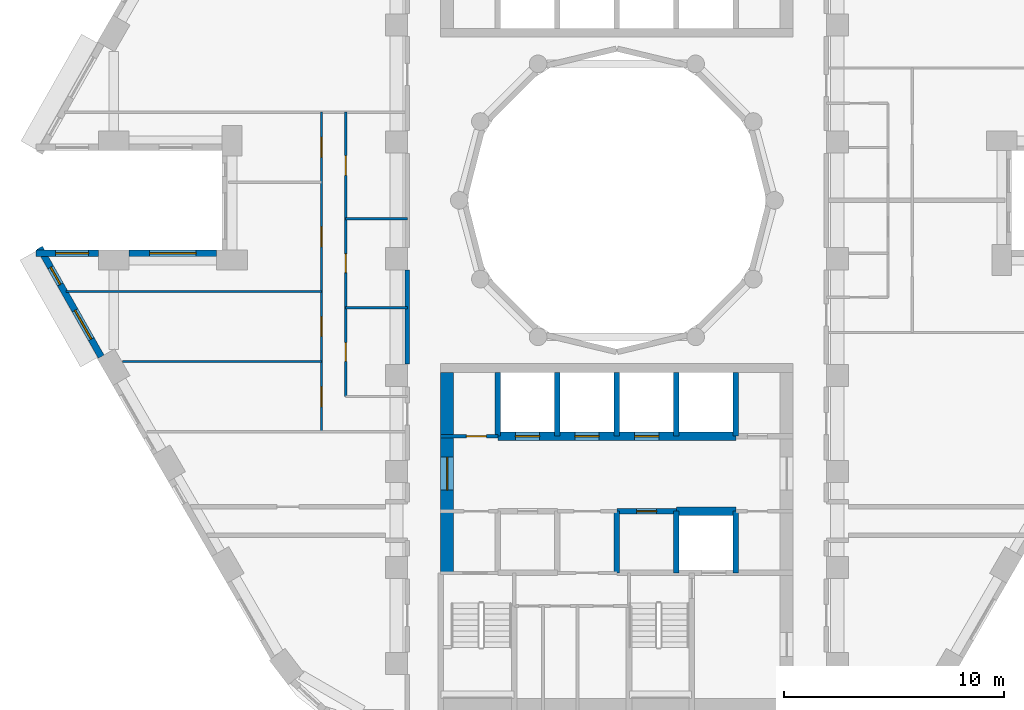
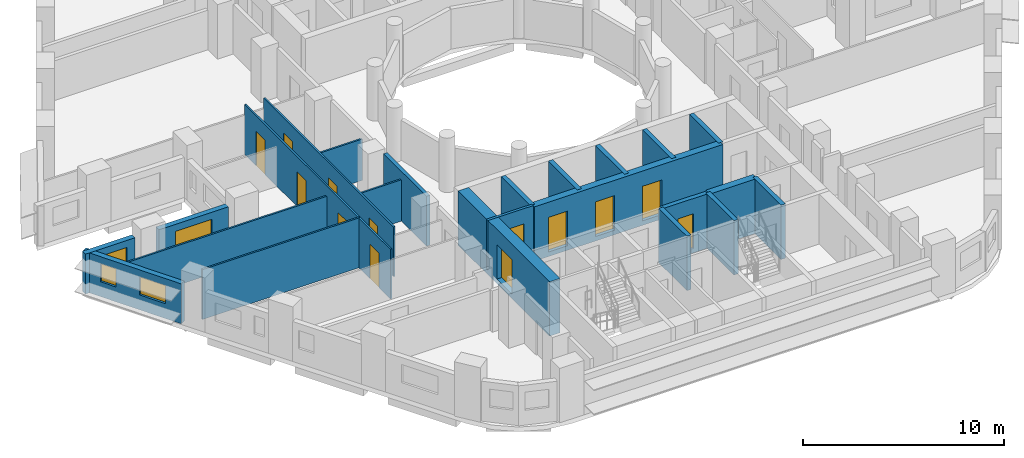
# One storey, part 4 of 12: 23 walls, 13 doors, 4 windows, 17 openings.
"""IFC4 building model written with IfcOpenShell, lengths in metres."""

from ifc_helpers import new_model, si_unit, direction, frame, frame_2d, origin, place, context, subcontext, project, spatial, rectangle, extrude, material, layer, layer_set, type_object, element, fill, save


model = new_model("IFC4")

# Units and contexts
model_context = context("Model", 3, precision=1e-05, world=origin(), true_north=direction((0.0, 1.0)))
body_context = subcontext(model_context, "Body", "Model", "MODEL_VIEW")
ifc_project = project(units=[si_unit("LENGTHUNIT", "METRE"), si_unit("AREAUNIT", "SQUARE_METRE"), si_unit("VOLUMEUNIT", "CUBIC_METRE"), si_unit("PLANEANGLEUNIT", "RADIAN"), si_unit("MASSUNIT", "GRAM", prefix="KILO")], contexts=[model_context])

# Site, building, storey
site_placement = place(None, origin())
site = spatial("IfcSite", under=ifc_project, at=site_placement, CompositionType="ELEMENT")
building_placement = place(site_placement, origin())
building = spatial("IfcBuilding", under=site, at=building_placement, Name="Nakaniwa Court", CompositionType="ELEMENT")
storey_placement = place(building_placement, frame((0.0, 0.0, 87.60009765625)))
storey = spatial("IfcBuildingStorey", under=building, at=storey_placement, Name="L22", CompositionType="ELEMENT", Elevation=87.60009765625)

# Wall
ifc_material_1 = material(Name="Acoustic double stud partition")
ifc_layer_1 = layer(ifc_material_1, 0.199951171875)
ifc_layer_set_1 = layer_set([ifc_layer_1], Name="Acoustic double stud partition")
wall_type_1 = type_object("IfcWallType", Name="Acoustic double stud partition 200", PredefinedType="PARTITIONING", material=ifc_layer_set_1)
wall_1_placement = place(storey_placement, frame((70.5, 72.56689453125, 0.0), z_axis=(0.0, 0.0, 1.0), x_axis=(0.0, 1.0, 0.0)))
element("IfcWall", 1, at=wall_1_placement, inside=storey, type_object=wall_type_1, Name="Partition PW-100", PredefinedType="PARTITIONING", context=body_context, shape_type="SweptSolid", body=[
    extrude(rectangle(XDim=4.26611328125, YDim=0.199951171875, at=frame_2d((2.133056640625, 0.0))), origin(), (0.0, 0.0, 1.0), 3.02490234375),
])

# Wall, opening, window
ifc_material_2 = material(Name="Charcoal ceramic cladding")
ifc_layer_2 = layer(ifc_material_2, 0.02, Name="Ceramic cladding")
ifc_material_3 = material(Name="Ventilated air cavity")
ifc_layer_3 = layer(ifc_material_3, 0.04, ventilated=True, Name="Ventilated cavity")
ifc_material_4 = material(Name="Mineral wool insulation")
ifc_layer_4 = layer(ifc_material_4, 0.1, Name="Insulation")
ifc_material_5 = material(Name="Cement bonded sheathing board")
ifc_layer_5 = layer(ifc_material_5, 0.012, Name="Sheathing")
ifc_material_6 = material(Name="Cold-formed galvanised stud frame with mineral wool infill")
ifc_layer_6 = layer(ifc_material_6, 0.1, Name="Stud frame")
ifc_material_7 = material(Name="Fire-rated gypsum plasterboard lining")
ifc_layer_7 = layer(ifc_material_7, 0.028, Name="Lining")
ifc_layer_set_2 = layer_set([ifc_layer_2, ifc_layer_3, ifc_layer_4, ifc_layer_5, ifc_layer_6, ifc_layer_7], Name="Charcoal ceramic faced external wall system")
wall_type_2 = type_object("IfcWallType", Name="Black ceramic faced external wall 300", PredefinedType="SOLIDWALL", material=ifc_layer_set_2)
wall_2_placement = place(storey_placement, frame((61.845703125, 77.60009765625, 0.0), z_axis=(0.0, 0.0, 1.0), x_axis=(-1.0, 0.0, 0.0)))
wall_2 = element("IfcWall", 2, at=wall_2_placement, inside=storey, type_object=wall_type_2, Name="L22 external wall 18", PredefinedType="SOLIDWALL", context=body_context, shape_type="SweptSolid", body=[
    extrude(rectangle(XDim=3.97265625, YDim=0.300048828125, at=frame_2d((1.986328125, 0.0))), origin(), (0.0, 0.0, 1.0), 2.4248046875),
])
opening_1_placement = place(wall_2_placement, frame((0.936279296875, 0.0, 0.89990234375)))
opening_1 = element("IfcOpeningElement", 3, at=opening_1_placement, cuts=wall_2, Name="Opening W7.21", PredefinedType="OPENING", context=body_context, shape_type="SweptSolid", body=[
    extrude(rectangle(XDim=2.10009765625, YDim=1.10009765625, at=frame_2d((1.050048828125, 0.550048828125))), frame((0.0, 0.159912109375, 0.0), z_axis=(0.0, -1.0, 0.0), x_axis=(1.0, 0.0, 0.0)), (0.0, 0.0, 1.0), 0.320068359375),
])
ifc_material_8 = material(Name="Black anodised aluminium frame with dark low-E laminated double glazing", Category="aluminium")
window_type_1 = type_object("IfcWindowType", Name="Dark glass window 2100x1100 sill 900", PartitioningType="SINGLE_PANEL", PredefinedType="WINDOW", material=ifc_material_8)
window_1_placement = place(opening_1_placement, origin())
window_1 = element("IfcWindow", 4, at=window_1_placement, inside=storey, type_object=window_type_1, Name="L22 living window 18-0", OverallHeight=1.10009765625, OverallWidth=2.10009765625, PartitioningType="SINGLE_PANEL", PredefinedType="WINDOW", context=body_context, shape_type="SweptSolid", body=[
    extrude(rectangle(XDim=2.10009765625, YDim=1.10009765625, at=frame_2d((1.050048828125, 0.550048828125))), frame((0.0, 0.030029296875, 0.0), z_axis=(0.0, -1.0, 0.0), x_axis=(1.0, 0.0, 0.0)), (0.0, 0.0, 1.0), 0.06005859375),
])
fill(opening_1, window_1)

wall_3_placement = place(storey_placement, frame((56.481201171875, 77.60009765625, 0.0), z_axis=(0.0, 0.0, 1.0), x_axis=(-1.0, 0.0, 0.0)))
wall_3 = element("IfcWall", 5, at=wall_3_placement, inside=storey, type_object=wall_type_2, Name="L22 external wall 19", PredefinedType="SOLIDWALL", context=body_context, shape_type="SweptSolid", body=[
    extrude(rectangle(XDim=2.837890625, YDim=0.300048828125, at=frame_2d((1.4189453125, 0.0))), origin(), (0.0, 0.0, 1.0), 2.4248046875),
])
opening_2_placement = place(wall_3_placement, frame((0.44384765625, 0.0, 0.89990234375)))
opening_2 = element("IfcOpeningElement", 6, at=opening_2_placement, cuts=wall_3, Name="Opening W5.22", PredefinedType="OPENING", context=body_context, shape_type="SweptSolid", body=[
    extrude(rectangle(XDim=1.5, YDim=1.10009765625, at=frame_2d((0.75, 0.550048828125))), frame((0.0, 0.159912109375, 0.0), z_axis=(0.0, -1.0, 0.0), x_axis=(1.0, 0.0, 0.0)), (0.0, 0.0, 1.0), 0.320068359375),
])
window_type_2 = type_object("IfcWindowType", Name="Dark glass window 1500x1100 sill 900", PartitioningType="SINGLE_PANEL", PredefinedType="WINDOW", material=ifc_material_8)
window_2_placement = place(opening_2_placement, origin())
window_2 = element("IfcWindow", 7, at=window_2_placement, inside=storey, type_object=window_type_2, Name="L22 living window 19-0", OverallHeight=1.10009765625, OverallWidth=1.5, PartitioningType="SINGLE_PANEL", PredefinedType="WINDOW", context=body_context, shape_type="SweptSolid", body=[
    extrude(rectangle(XDim=1.5, YDim=1.10009765625, at=frame_2d((0.75, 0.550048828125))), frame((0.0, 0.030029296875, 0.0), z_axis=(0.0, -1.0, 0.0), x_axis=(1.0, 0.0, 0.0)), (0.0, 0.0, 1.0), 0.06005859375),
])
fill(opening_2, window_2)

# Wall, openings, windows
wall_4_placement = place(storey_placement, frame((53.81396484375, 77.8466796875, 0.0), z_axis=(0.0, 0.0, 1.0), x_axis=(0.492456858874, -0.870336855561, 0.0)))
wall_4 = element("IfcWall", 8, at=wall_4_placement, inside=storey, type_object=wall_type_2, Name="L22 external wall 20", PredefinedType="SOLIDWALL", context=body_context, shape_type="SweptSolid", body=[
    extrude(rectangle(XDim=5.676513671875, YDim=0.300048828125, at=frame_2d((2.83837890625, 0.0))), origin(), (0.0, 0.0, 1.0), 2.4248046875),
])
opening_3_placement = place(wall_4_placement, frame((1.011962890625, 0.0, 0.89990234375)))
opening_3 = element("IfcOpeningElement", 9, at=opening_3_placement, cuts=wall_4, Name="Opening W9.23", PredefinedType="OPENING", context=body_context, shape_type="SweptSolid", body=[
    extrude(rectangle(XDim=0.89990234375, YDim=1.10009765625, at=frame_2d((0.449951171875, 0.550048828125))), frame((0.0, 0.159912109375, 0.0), z_axis=(0.0, -1.0, 0.0), x_axis=(1.0, 0.0, 0.0)), (0.0, 0.0, 1.0), 0.320068359375),
])
opening_4_placement = place(wall_4_placement, frame((3.261474609375, 0.0, 0.89990234375)))
opening_4 = element("IfcOpeningElement", 10, at=opening_4_placement, cuts=wall_4, Name="Opening W5.24", PredefinedType="OPENING", context=body_context, shape_type="SweptSolid", body=[
    extrude(rectangle(XDim=1.5, YDim=1.10009765625, at=frame_2d((0.75, 0.550048828125))), frame((0.0, 0.159912109375, 0.0), z_axis=(0.0, -1.0, 0.0), x_axis=(1.0, 0.0, 0.0)), (0.0, 0.0, 1.0), 0.320068359375),
])
window_3_placement = place(opening_4_placement, origin())
window_3 = element("IfcWindow", 11, at=window_3_placement, inside=storey, type_object=window_type_2, Name="L22 bedroom window 20-1", OverallHeight=1.10009765625, OverallWidth=1.5, PartitioningType="SINGLE_PANEL", PredefinedType="WINDOW", context=body_context, shape_type="SweptSolid", body=[
    extrude(rectangle(XDim=1.5, YDim=1.10009765625, at=frame_2d((0.75, 0.550048828125))), frame((0.0, 0.030029296875, 0.0), z_axis=(0.0, -1.0, 0.0), x_axis=(1.0, 0.0, 0.0)), (0.0, 0.0, 1.0), 0.06005859375),
])
fill(opening_4, window_3)
window_type_3 = type_object("IfcWindowType", Name="Dark glass window 900x1100 sill 900", PartitioningType="SINGLE_PANEL", PredefinedType="WINDOW", material=ifc_material_8)
window_4_placement = place(opening_3_placement, origin())
window_4 = element("IfcWindow", 12, at=window_4_placement, inside=storey, type_object=window_type_3, Name="L22 living window 20-0", OverallHeight=1.10009765625, OverallWidth=0.89990234375, PartitioningType="SINGLE_PANEL", PredefinedType="WINDOW", context=body_context, shape_type="SweptSolid", body=[
    extrude(rectangle(XDim=0.89990234375, YDim=1.10009765625, at=frame_2d((0.449951171875, 0.550048828125))), frame((0.0, 0.030029296875, 0.0), z_axis=(0.0, -1.0, 0.0), x_axis=(1.0, 0.0, 0.0)), (0.0, 0.0, 1.0), 0.06005859375),
])
fill(opening_3, window_4)

# Wall, opening, door
ifc_material_9 = material(Name="Blockwork partition", Category="masonry")
ifc_layer_8 = layer(ifc_material_9, 0.14990234375)
ifc_layer_set_3 = layer_set([ifc_layer_8], Name="Blockwork partition")
wall_type_3 = type_object("IfcWallType", Name="Blockwork partition 150", PredefinedType="PARTITIONING", material=ifc_layer_set_3)
wall_5_placement = place(storey_placement, frame((72.0, 69.300048828125, 0.0), z_axis=(0.0, 0.0, 1.0), x_axis=(1.0, 0.0, 0.0)))
wall_5 = element("IfcWall", 13, at=wall_5_placement, inside=storey, type_object=wall_type_3, Name="Partition PW-037", PredefinedType="PARTITIONING", context=body_context, shape_type="SweptSolid", body=[
    extrude(rectangle(XDim=2.60009765625, YDim=0.14990234375, at=frame_2d((1.300048828125, 0.0))), origin(), (0.0, 0.0, 1.0), 3.02490234375),
])
opening_5_placement = place(wall_5_placement, frame((1.175048828125, 0.0, 0.0)))
opening_5 = element("IfcOpeningElement", 14, at=opening_5_placement, cuts=wall_5, Name="Opening D-05-09", PredefinedType="OPENING", context=body_context, shape_type="SweptSolid", body=[
    extrude(rectangle(XDim=0.89990234375, YDim=2.10009765625, at=frame_2d((0.449951171875, 1.050048828125))), frame((0.0, 0.0849609375, 0.0), z_axis=(0.0, -1.0, 0.0), x_axis=(1.0, 0.0, 0.0)), (0.0, 0.0, 1.0), 0.169921875),
])
ifc_material_10 = material(Name="Fire rated steel door set", Category="steel")
door_type_1 = type_object("IfcDoorType", Name="Service room door 900", OperationType="NOTDEFINED", PredefinedType="DOOR", material=ifc_material_10)
door_1_placement = place(opening_5_placement, origin())
door_1 = element("IfcDoor", 15, at=door_1_placement, inside=storey, type_object=door_type_1, Name="Door D-05-09 L22-014", OperationType="SINGLE_SWING_LEFT", OverallHeight=2.10009765625, OverallWidth=0.89990234375, PredefinedType="DOOR", context=body_context, shape_type="SweptSolid", body=[
    extrude(rectangle(XDim=0.89990234375, YDim=2.10009765625, at=frame_2d((0.449951171875, 1.050048828125))), frame((0.0, 0.02490234375, 0.0), z_axis=(0.0, -1.0, 0.0), x_axis=(1.0, 0.0, 0.0)), (0.0, 0.0, 1.0), 0.050048828125),
])
fill(opening_5, door_1)

ifc_material_11 = material(Name="Concrete C80/100", Category="concrete")
ifc_layer_9 = layer(ifc_material_11, 0.60009765625)
ifc_layer_set_4 = layer_set([ifc_layer_9], Name="Concrete C80/100")
wall_type_4 = type_object("IfcWallType", Name="Concrete core side wall 600 C80", PredefinedType="SHEAR", material=ifc_layer_set_4)
wall_6_placement = place(storey_placement, frame((72.300048828125, 63.10009765625, -0.275146484375), z_axis=(0.0, 0.0, 1.0), x_axis=(0.0, 1.0, 0.0)))
wall_6 = element("IfcWall", 16, at=wall_6_placement, inside=storey, type_object=wall_type_4, Name="Core wall SW-38", PredefinedType="SHEAR", context=body_context, shape_type="SweptSolid", body=[
    extrude(rectangle(XDim=9.099853515625, YDim=0.60009765625, at=frame_2d((4.5498046875, 0.0))), origin(), (0.0, 0.0, 1.0), 3.300048828125),
])
opening_6_placement = place(wall_6_placement, frame((3.75, 0.0, 0.27490234375)))
opening_6 = element("IfcOpeningElement", 17, at=opening_6_placement, cuts=wall_6, Name="Opening D-07-04", PredefinedType="OPENING", context=body_context, shape_type="SweptSolid", body=[
    extrude(rectangle(XDim=1.5, YDim=2.10009765625, at=frame_2d((0.75, 1.050048828125))), frame((0.0, 0.31005859375, 0.0), z_axis=(0.0, -1.0, 0.0), x_axis=(1.0, 0.0, 0.0)), (0.0, 0.0, 1.0), 0.6201171875),
])
ifc_material_12 = material(Name="Glazed fire rated steel double door set", Category="steel")
door_type_2 = type_object("IfcDoorType", Name="Lobby double door 1500", OperationType="NOTDEFINED", PredefinedType="DOOR", material=ifc_material_12)
door_2_placement = place(opening_6_placement, origin())
door_2 = element("IfcDoor", 18, at=door_2_placement, inside=storey, type_object=door_type_2, Name="Door D-07-04 L22-055", OperationType="DOUBLE_DOOR_SINGLE_SWING", OverallHeight=2.10009765625, OverallWidth=1.5, PredefinedType="DOOR", context=body_context, shape_type="SweptSolid", body=[
    extrude(rectangle(XDim=1.5, YDim=2.10009765625, at=frame_2d((0.75, 1.050048828125))), frame((0.0, 0.02490234375, 0.0), z_axis=(0.0, -1.0, 0.0), x_axis=(1.0, 0.0, 0.0)), (0.0, 0.0, 1.0), 0.050048828125),
])
fill(opening_6, door_2)

# Wall, openings, doors
ifc_layer_10 = layer(ifc_material_11, 0.39990234375)
ifc_layer_set_5 = layer_set([ifc_layer_10], Name="Concrete C80/100")
wall_type_5 = type_object("IfcWallType", Name="Concrete core spine wall 400 C80", PredefinedType="SHEAR", material=ifc_layer_set_5)
wall_7_placement = place(storey_placement, frame((74.60009765625, 69.300048828125, -0.275146484375), z_axis=(0.0, 0.0, 1.0), x_axis=(1.0, 0.0, 0.0)))
wall_7 = element("IfcWall", 19, at=wall_7_placement, inside=storey, type_object=wall_type_5, Name="Core wall SW-41", PredefinedType="SHEAR", context=body_context, shape_type="SweptSolid", body=[
    extrude(rectangle(XDim=10.7998046875, YDim=0.39990234375, at=frame_2d((5.39990234375, 0.0))), origin(), (0.0, 0.0, 1.0), 3.300048828125),
])
opening_7_placement = place(wall_7_placement, frame((0.800048828125, 0.0, 0.27490234375)))
opening_7 = element("IfcOpeningElement", 20, at=opening_7_placement, cuts=wall_7, Name="Opening LD05", PredefinedType="OPENING", context=body_context, shape_type="SweptSolid", body=[
    extrude(rectangle(XDim=1.10009765625, YDim=2.10009765625, at=frame_2d((0.550048828125, 1.050048828125))), frame((0.0, 0.2099609375, 0.0), z_axis=(0.0, -1.0, 0.0), x_axis=(1.0, 0.0, 0.0)), (0.0, 0.0, 1.0), 0.419921875),
])
opening_8_placement = place(wall_7_placement, frame((3.5, 0.0, 0.27490234375)))
opening_8 = element("IfcOpeningElement", 21, at=opening_8_placement, cuts=wall_7, Name="Opening LD06", PredefinedType="OPENING", context=body_context, shape_type="SweptSolid", body=[
    extrude(rectangle(XDim=1.10009765625, YDim=2.10009765625, at=frame_2d((0.550048828125, 1.050048828125))), frame((0.0, 0.2099609375, 0.0), z_axis=(0.0, -1.0, 0.0), x_axis=(1.0, 0.0, 0.0)), (0.0, 0.0, 1.0), 0.419921875),
])
opening_9_placement = place(wall_7_placement, frame((6.199951171875, 0.0, 0.27490234375)))
opening_9 = element("IfcOpeningElement", 22, at=opening_9_placement, cuts=wall_7, Name="Opening LD07", PredefinedType="OPENING", context=body_context, shape_type="SweptSolid", body=[
    extrude(rectangle(XDim=1.10009765625, YDim=2.10009765625, at=frame_2d((0.550048828125, 1.050048828125))), frame((0.0, 0.2099609375, 0.0), z_axis=(0.0, -1.0, 0.0), x_axis=(1.0, 0.0, 0.0)), (0.0, 0.0, 1.0), 0.419921875),
])
ifc_material_13 = material(Name="Stainless steel sliding lift landing door", Category="steel")
door_type_3 = type_object("IfcDoorType", Name="Lift landing door 1100", OperationType="NOTDEFINED", PredefinedType="DOOR", material=ifc_material_13)
door_3_placement = place(opening_7_placement, origin())
door_3 = element("IfcDoor", 23, at=door_3_placement, inside=storey, type_object=door_type_3, Name="Lift landing door LD05 L22-005", OperationType="SLIDING_TO_LEFT", OverallHeight=2.10009765625, OverallWidth=1.10009765625, PredefinedType="DOOR", context=body_context, shape_type="SweptSolid", body=[
    extrude(rectangle(XDim=1.10009765625, YDim=2.10009765625, at=frame_2d((0.550048828125, 1.050048828125))), frame((0.0, 0.02490234375, 0.0), z_axis=(0.0, -1.0, 0.0), x_axis=(1.0, 0.0, 0.0)), (0.0, 0.0, 1.0), 0.050048828125),
])
fill(opening_7, door_3)
door_4_placement = place(opening_8_placement, origin())
door_4 = element("IfcDoor", 24, at=door_4_placement, inside=storey, type_object=door_type_3, Name="Lift landing door LD06 L22-006", OperationType="SLIDING_TO_LEFT", OverallHeight=2.10009765625, OverallWidth=1.10009765625, PredefinedType="DOOR", context=body_context, shape_type="SweptSolid", body=[
    extrude(rectangle(XDim=1.10009765625, YDim=2.10009765625, at=frame_2d((0.550048828125, 1.050048828125))), frame((0.0, 0.02490234375, 0.0), z_axis=(0.0, -1.0, 0.0), x_axis=(1.0, 0.0, 0.0)), (0.0, 0.0, 1.0), 0.050048828125),
])
fill(opening_8, door_4)
door_5_placement = place(opening_9_placement, origin())
door_5 = element("IfcDoor", 25, at=door_5_placement, inside=storey, type_object=door_type_3, Name="Lift landing door LD07 L22-007", OperationType="SLIDING_TO_LEFT", OverallHeight=2.10009765625, OverallWidth=1.10009765625, PredefinedType="DOOR", context=body_context, shape_type="SweptSolid", body=[
    extrude(rectangle(XDim=1.10009765625, YDim=2.10009765625, at=frame_2d((0.550048828125, 1.050048828125))), frame((0.0, 0.02490234375, 0.0), z_axis=(0.0, -1.0, 0.0), x_axis=(1.0, 0.0, 0.0)), (0.0, 0.0, 1.0), 0.050048828125),
])
fill(opening_9, door_5)

# Walls
wall_8_placement = place(storey_placement, frame((82.697021484375, 65.89990234375, -0.275146484375), z_axis=(0.0, 0.0, 1.0), x_axis=(1.0, 0.0, 0.0)))
element("IfcWall", 26, at=wall_8_placement, inside=storey, type_object=wall_type_5, Name="Core wall SW-55", PredefinedType="SHEAR", context=body_context, shape_type="SweptSolid", body=[
    extrude(rectangle(XDim=2.7060546875, YDim=0.39990234375, at=frame_2d((1.35302734375, 0.0))), origin(), (0.0, 0.0, 1.0), 3.300048828125),
])
ifc_layer_11 = layer(ifc_material_11, 0.25)
ifc_layer_set_6 = layer_set([ifc_layer_11], Name="Concrete C80/100")
wall_type_6 = type_object("IfcWallType", Name="Concrete shaft wall 250 C80", PredefinedType="SHEAR", material=ifc_layer_set_6)
for number, where, z_axis, x_axis, name in (
    (27, (74.60009765625, 69.300048828125, -0.275146484375), (0.0, 0.0, 1.0), (0.0, 1.0, 0.0), "Core wall SW-36"),
    (28, (77.300048828125, 69.300048828125, -0.275146484375), (0.0, 0.0, 1.0), (0.0, 1.0, 0.0), "Core wall SW-40"),
):
    element("IfcWall", number, at=place(storey_placement, frame(where, z_axis=z_axis, x_axis=x_axis)), inside=storey, type_object=wall_type_6, Name=name, PredefinedType="SHEAR", context=body_context, shape_type="SweptSolid", body=[
        extrude(rectangle(XDim=2.89990234375, YDim=0.25, at=frame_2d((1.449951171875, 0.0))), origin(), (0.0, 0.0, 1.0), 3.300048828125),
    ])
wall_9_placement = place(storey_placement, frame((80.0, 63.10009765625, -0.275146484375), z_axis=(0.0, 0.0, 1.0), x_axis=(0.0, 1.0, 0.0)))
element("IfcWall", 29, at=wall_9_placement, inside=storey, type_object=wall_type_6, Name="Core wall SW-42", PredefinedType="SHEAR", context=body_context, shape_type="SweptSolid", body=[
    extrude(rectangle(XDim=2.7998046875, YDim=0.25, at=frame_2d((1.39990234375, 0.0))), origin(), (0.0, 0.0, 1.0), 3.300048828125),
])
wall_10_placement = place(storey_placement, frame((80.0, 69.300048828125, -0.275146484375), z_axis=(0.0, 0.0, 1.0), x_axis=(0.0, 1.0, 0.0)))
element("IfcWall", 30, at=wall_10_placement, inside=storey, type_object=wall_type_6, Name="Core wall SW-43", PredefinedType="SHEAR", context=body_context, shape_type="SweptSolid", body=[
    extrude(rectangle(XDim=2.89990234375, YDim=0.25, at=frame_2d((1.449951171875, 0.0))), origin(), (0.0, 0.0, 1.0), 3.300048828125),
])
wall_11_placement = place(storey_placement, frame((82.699951171875, 63.10009765625, -0.275146484375), z_axis=(0.0, 0.0, 1.0), x_axis=(0.0, 1.0, 0.0)))
element("IfcWall", 31, at=wall_11_placement, inside=storey, type_object=wall_type_6, Name="Core wall SW-44", PredefinedType="SHEAR", context=body_context, shape_type="SweptSolid", body=[
    extrude(rectangle(XDim=2.7998046875, YDim=0.25, at=frame_2d((1.39990234375, 0.0))), origin(), (0.0, 0.0, 1.0), 3.300048828125),
])
wall_12_placement = place(storey_placement, frame((82.699951171875, 69.300048828125, -0.275146484375), z_axis=(0.0, 0.0, 1.0), x_axis=(0.0, 1.0, 0.0)))
element("IfcWall", 32, at=wall_12_placement, inside=storey, type_object=wall_type_6, Name="Core wall SW-45", PredefinedType="SHEAR", context=body_context, shape_type="SweptSolid", body=[
    extrude(rectangle(XDim=2.89990234375, YDim=0.25, at=frame_2d((1.449951171875, 0.0))), origin(), (0.0, 0.0, 1.0), 3.300048828125),
])
wall_13_placement = place(storey_placement, frame((85.39990234375, 63.10009765625, -0.275146484375), z_axis=(0.0, 0.0, 1.0), x_axis=(0.0, 1.0, 0.0)))
element("IfcWall", 33, at=wall_13_placement, inside=storey, type_object=wall_type_6, Name="Core wall SW-46", PredefinedType="SHEAR", context=body_context, shape_type="SweptSolid", body=[
    extrude(rectangle(XDim=2.7998046875, YDim=0.25, at=frame_2d((1.39990234375, 0.0))), origin(), (0.0, 0.0, 1.0), 3.300048828125),
])
wall_14_placement = place(storey_placement, frame((85.39990234375, 69.300048828125, -0.275146484375), z_axis=(0.0, 0.0, 1.0), x_axis=(0.0, 1.0, 0.0)))
element("IfcWall", 34, at=wall_14_placement, inside=storey, type_object=wall_type_6, Name="Core wall SW-47", PredefinedType="SHEAR", context=body_context, shape_type="SweptSolid", body=[
    extrude(rectangle(XDim=2.89990234375, YDim=0.25, at=frame_2d((1.449951171875, 0.0))), origin(), (0.0, 0.0, 1.0), 3.300048828125),
])

# Wall, opening, door
wall_15_placement = place(storey_placement, frame((82.702880859375, 65.89990234375, -0.275146484375), z_axis=(0.0, 0.0, 1.0), x_axis=(-1.0, 0.0, 0.0)))
wall_15 = element("IfcWall", 35, at=wall_15_placement, inside=storey, type_object=wall_type_6, Name="Core wall SW-54", PredefinedType="SHEAR", context=body_context, shape_type="SweptSolid", body=[
    extrude(rectangle(XDim=2.705810546875, YDim=0.25, at=frame_2d((1.35302734375, 0.0))), origin(), (0.0, 0.0, 1.0), 3.300048828125),
])
opening_10_placement = place(wall_15_placement, frame((0.903076171875, 0.0, 0.27490234375)))
opening_10 = element("IfcOpeningElement", 36, at=opening_10_placement, cuts=wall_15, Name="Opening D-05-12", PredefinedType="OPENING", context=body_context, shape_type="SweptSolid", body=[
    extrude(rectangle(XDim=0.89990234375, YDim=2.10009765625, at=frame_2d((0.449951171875, 1.050048828125))), frame((0.0, 0.135009765625, 0.0), z_axis=(0.0, -1.0, 0.0), x_axis=(1.0, 0.0, 0.0)), (0.0, 0.0, 1.0), 0.27001953125),
])
door_6_placement = place(opening_10_placement, origin())
door_6 = element("IfcDoor", 37, at=door_6_placement, inside=storey, type_object=door_type_1, Name="Door D-05-12 L22-019", OperationType="SINGLE_SWING_RIGHT", OverallHeight=2.10009765625, OverallWidth=0.89990234375, PredefinedType="DOOR", context=body_context, shape_type="SweptSolid", body=[
    extrude(rectangle(XDim=0.89990234375, YDim=2.10009765625, at=frame_2d((0.449951171875, 1.050048828125))), frame((0.0, 0.02490234375, 0.0), z_axis=(0.0, -1.0, 0.0), x_axis=(1.0, 0.0, 0.0)), (0.0, 0.0, 1.0), 0.050048828125),
])
fill(opening_10, door_6)

# Wall
ifc_material_14 = material(Name="Single stud plasterboard partition")
ifc_layer_12 = layer(ifc_material_14, 0.10009765625)
ifc_layer_set_7 = layer_set([ifc_layer_12], Name="Single stud plasterboard partition")
wall_type_7 = type_object("IfcWallType", Name="Single stud plasterboard partition 100", PredefinedType="PARTITIONING", material=ifc_layer_set_7)
wall_16_placement = place(storey_placement, frame((67.699951171875, 75.131103515625, 0.0), z_axis=(0.0, 0.0, 1.0), x_axis=(1.0, 0.0, 0.0)))
element("IfcWall", 38, at=wall_16_placement, inside=storey, type_object=wall_type_7, Name="Partition PW-116", PredefinedType="PARTITIONING", context=body_context, shape_type="SweptSolid", body=[
    extrude(rectangle(XDim=2.800048828125, YDim=0.10009765625, at=frame_2d((1.39990234375, 0.0))), origin(), (0.0, 0.0, 1.0), 2.5048828125),
])

# Wall, openings, doors
wall_17_placement = place(storey_placement, frame((67.699951171875, 84.0, 0.0), z_axis=(0.0, 0.0, 1.0), x_axis=(0.0, -1.0, 0.0)))
wall_17 = element("IfcWall", 39, at=wall_17_placement, inside=storey, type_object=wall_type_7, Name="Partition PW-118", PredefinedType="PARTITIONING", context=body_context, shape_type="SweptSolid", body=[
    extrude(rectangle(XDim=12.89990234375, YDim=0.10009765625, at=frame_2d((6.449951171875, 0.0))), origin(), (0.0, 0.0, 1.0), 3.02490234375),
])
opening_11_placement = place(wall_17_placement, frame((10.458984375, 0.0, 0.0)))
opening_11 = element("IfcOpeningElement", 40, at=opening_11_placement, cuts=wall_17, Name="Opening D-03-03", PredefinedType="OPENING", context=body_context, shape_type="SweptSolid", body=[
    extrude(rectangle(XDim=0.85009765625, YDim=2.10009765625, at=frame_2d((0.425048828125, 1.050048828125))), frame((0.0, 0.06005859375, 0.0), z_axis=(0.0, -1.0, 0.0), x_axis=(1.0, 0.0, 0.0)), (0.0, 0.0, 1.0), 0.1201171875),
])
opening_12_placement = place(wall_17_placement, frame((6.427978515625, 0.0, 0.0)))
opening_12 = element("IfcOpeningElement", 41, at=opening_12_placement, cuts=wall_17, Name="Opening D-03-04", PredefinedType="OPENING", context=body_context, shape_type="SweptSolid", body=[
    extrude(rectangle(XDim=0.85009765625, YDim=2.10009765625, at=frame_2d((0.425048828125, 1.050048828125))), frame((0.0, 0.06005859375, 0.0), z_axis=(0.0, -1.0, 0.0), x_axis=(1.0, 0.0, 0.0)), (0.0, 0.0, 1.0), 0.1201171875),
])
opening_13_placement = place(wall_17_placement, frame((1.968994140625, 0.0, 0.0)))
opening_13 = element("IfcOpeningElement", 42, at=opening_13_placement, cuts=wall_17, Name="Opening D-33-05", PredefinedType="OPENING", context=body_context, shape_type="SweptSolid", body=[
    extrude(rectangle(XDim=0.89990234375, YDim=2.10009765625, at=frame_2d((0.449951171875, 1.050048828125))), frame((0.0, 0.06005859375, 0.0), z_axis=(0.0, -1.0, 0.0), x_axis=(1.0, 0.0, 0.0)), (0.0, 0.0, 1.0), 0.1201171875),
])
ifc_material_15 = material(Name="Moisture sealed timber door set", Category="wood")
door_type_4 = type_object("IfcDoorType", Name="Bathroom door 850", OperationType="NOTDEFINED", PredefinedType="DOOR", material=ifc_material_15)
door_7_placement = place(opening_11_placement, origin())
door_7 = element("IfcDoor", 43, at=door_7_placement, inside=storey, type_object=door_type_4, Name="Door D-03-03 L22-040", OperationType="SINGLE_SWING_LEFT", OverallHeight=2.10009765625, OverallWidth=0.85009765625, PredefinedType="DOOR", context=body_context, shape_type="SweptSolid", body=[
    extrude(rectangle(XDim=0.85009765625, YDim=2.10009765625, at=frame_2d((0.425048828125, 1.050048828125))), frame((0.0, 0.02490234375, 0.0), z_axis=(0.0, -1.0, 0.0), x_axis=(1.0, 0.0, 0.0)), (0.0, 0.0, 1.0), 0.050048828125),
])
fill(opening_11, door_7)
door_8_placement = place(opening_12_placement, origin())
door_8 = element("IfcDoor", 44, at=door_8_placement, inside=storey, type_object=door_type_4, Name="Door D-03-04 L22-041", OperationType="SINGLE_SWING_RIGHT", OverallHeight=2.10009765625, OverallWidth=0.85009765625, PredefinedType="DOOR", context=body_context, shape_type="SweptSolid", body=[
    extrude(rectangle(XDim=0.85009765625, YDim=2.10009765625, at=frame_2d((0.425048828125, 1.050048828125))), frame((0.0, 0.02490234375, 0.0), z_axis=(0.0, -1.0, 0.0), x_axis=(1.0, 0.0, 0.0)), (0.0, 0.0, 1.0), 0.050048828125),
])
fill(opening_12, door_8)
ifc_material_16 = material(Name="Solid core timber door set, black veneer", Category="wood")
door_type_5 = type_object("IfcDoorType", Name="Internal door 900", OperationType="NOTDEFINED", PredefinedType="DOOR", material=ifc_material_16)
door_9_placement = place(opening_13_placement, origin())
door_9 = element("IfcDoor", 45, at=door_9_placement, inside=storey, type_object=door_type_5, Name="Door D-33-05 L22-042", OperationType="SINGLE_SWING_LEFT", OverallHeight=2.10009765625, OverallWidth=0.89990234375, PredefinedType="DOOR", context=body_context, shape_type="SweptSolid", body=[
    extrude(rectangle(XDim=0.89990234375, YDim=2.10009765625, at=frame_2d((0.449951171875, 1.050048828125))), frame((0.0, 0.02490234375, 0.0), z_axis=(0.0, -1.0, 0.0), x_axis=(1.0, 0.0, 0.0)), (0.0, 0.0, 1.0), 0.050048828125),
])
fill(opening_13, door_9)

# Wall
wall_18_placement = place(storey_placement, frame((67.699951171875, 79.162109375, 0.0), z_axis=(0.0, 0.0, 1.0), x_axis=(1.0, 0.0, 0.0)))
element("IfcWall", 46, at=wall_18_placement, inside=storey, type_object=wall_type_7, Name="Partition PW-119", PredefinedType="PARTITIONING", context=body_context, shape_type="SweptSolid", body=[
    extrude(rectangle(XDim=2.800048828125, YDim=0.10009765625, at=frame_2d((1.39990234375, 0.0))), origin(), (0.0, 0.0, 1.0), 2.5048828125),
])

# Wall, openings, doors
wall_19_placement = place(storey_placement, frame((66.60009765625, 69.5, 0.0), z_axis=(0.0, 0.0, 1.0), x_axis=(0.0, 1.0, 0.0)))
wall_19 = element("IfcWall", 47, at=wall_19_placement, inside=storey, type_object=wall_type_7, Name="Partition PW-121", PredefinedType="PARTITIONING", context=body_context, shape_type="SweptSolid", body=[
    extrude(rectangle(XDim=14.5, YDim=0.10009765625, at=frame_2d((7.25, 0.0))), origin(), (0.0, 0.0, 1.0), 3.02490234375),
])
opening_14_placement = place(wall_19_placement, frame((1.14111328125, 0.0, 0.0)))
opening_14 = element("IfcOpeningElement", 48, at=opening_14_placement, cuts=wall_19, Name="Opening D-33-06", PredefinedType="OPENING", context=body_context, shape_type="SweptSolid", body=[
    extrude(rectangle(XDim=0.89990234375, YDim=2.10009765625, at=frame_2d((0.449951171875, 1.050048828125))), frame((0.0, 0.06005859375, 0.0), z_axis=(0.0, -1.0, 0.0), x_axis=(1.0, 0.0, 0.0)), (0.0, 0.0, 1.0), 0.1201171875),
])
opening_15_placement = place(wall_19_placement, frame((4.323974609375, 0.0, 0.0)))
opening_15 = element("IfcOpeningElement", 49, at=opening_15_placement, cuts=wall_19, Name="Opening D-33-07", PredefinedType="OPENING", context=body_context, shape_type="SweptSolid", body=[
    extrude(rectangle(XDim=0.89990234375, YDim=2.10009765625, at=frame_2d((0.449951171875, 1.050048828125))), frame((0.0, 0.06005859375, 0.0), z_axis=(0.0, -1.0, 0.0), x_axis=(1.0, 0.0, 0.0)), (0.0, 0.0, 1.0), 0.1201171875),
])
opening_16_placement = place(wall_19_placement, frame((8.39111328125, 0.0, 0.0)))
opening_16 = element("IfcOpeningElement", 50, at=opening_16_placement, cuts=wall_19, Name="Opening D-33-08", PredefinedType="OPENING", context=body_context, shape_type="SweptSolid", body=[
    extrude(rectangle(XDim=0.89990234375, YDim=2.10009765625, at=frame_2d((0.449951171875, 1.050048828125))), frame((0.0, 0.06005859375, 0.0), z_axis=(0.0, -1.0, 0.0), x_axis=(1.0, 0.0, 0.0)), (0.0, 0.0, 1.0), 0.1201171875),
])
opening_17_placement = place(wall_19_placement, frame((12.458984375, 0.0, 0.0)))
opening_17 = element("IfcOpeningElement", 51, at=opening_17_placement, cuts=wall_19, Name="Opening D-33-09", PredefinedType="OPENING", context=body_context, shape_type="SweptSolid", body=[
    extrude(rectangle(XDim=0.89990234375, YDim=2.10009765625, at=frame_2d((0.449951171875, 1.050048828125))), frame((0.0, 0.06005859375, 0.0), z_axis=(0.0, -1.0, 0.0), x_axis=(1.0, 0.0, 0.0)), (0.0, 0.0, 1.0), 0.1201171875),
])
door_10_placement = place(opening_14_placement, origin())
door_10 = element("IfcDoor", 52, at=door_10_placement, inside=storey, type_object=door_type_5, Name="Door D-33-06 L22-043", OperationType="SINGLE_SWING_RIGHT", OverallHeight=2.10009765625, OverallWidth=0.89990234375, PredefinedType="DOOR", context=body_context, shape_type="SweptSolid", body=[
    extrude(rectangle(XDim=0.89990234375, YDim=2.10009765625, at=frame_2d((0.449951171875, 1.050048828125))), frame((0.0, 0.02490234375, 0.0), z_axis=(0.0, -1.0, 0.0), x_axis=(1.0, 0.0, 0.0)), (0.0, 0.0, 1.0), 0.050048828125),
])
fill(opening_14, door_10)
door_11_placement = place(opening_15_placement, origin())
door_11 = element("IfcDoor", 53, at=door_11_placement, inside=storey, type_object=door_type_5, Name="Door D-33-07 L22-044", OperationType="SINGLE_SWING_LEFT", OverallHeight=2.10009765625, OverallWidth=0.89990234375, PredefinedType="DOOR", context=body_context, shape_type="SweptSolid", body=[
    extrude(rectangle(XDim=0.89990234375, YDim=2.10009765625, at=frame_2d((0.449951171875, 1.050048828125))), frame((0.0, 0.02490234375, 0.0), z_axis=(0.0, -1.0, 0.0), x_axis=(1.0, 0.0, 0.0)), (0.0, 0.0, 1.0), 0.050048828125),
])
fill(opening_15, door_11)
door_12_placement = place(opening_16_placement, origin())
door_12 = element("IfcDoor", 54, at=door_12_placement, inside=storey, type_object=door_type_5, Name="Door D-33-08 L22-045", OperationType="SINGLE_SWING_RIGHT", OverallHeight=2.10009765625, OverallWidth=0.89990234375, PredefinedType="DOOR", context=body_context, shape_type="SweptSolid", body=[
    extrude(rectangle(XDim=0.89990234375, YDim=2.10009765625, at=frame_2d((0.449951171875, 1.050048828125))), frame((0.0, 0.02490234375, 0.0), z_axis=(0.0, -1.0, 0.0), x_axis=(1.0, 0.0, 0.0)), (0.0, 0.0, 1.0), 0.050048828125),
])
fill(opening_16, door_12)
door_13_placement = place(opening_17_placement, origin())
door_13 = element("IfcDoor", 55, at=door_13_placement, inside=storey, type_object=door_type_5, Name="Door D-33-09 L22-046", OperationType="SINGLE_SWING_LEFT", OverallHeight=2.10009765625, OverallWidth=0.89990234375, PredefinedType="DOOR", context=body_context, shape_type="SweptSolid", body=[
    extrude(rectangle(XDim=0.89990234375, YDim=2.10009765625, at=frame_2d((0.449951171875, 1.050048828125))), frame((0.0, 0.02490234375, 0.0), z_axis=(0.0, -1.0, 0.0), x_axis=(1.0, 0.0, 0.0)), (0.0, 0.0, 1.0), 0.050048828125),
])
fill(opening_17, door_13)

# Walls
wall_20_placement = place(storey_placement, frame((57.573974609375, 72.68310546875, 0.0), z_axis=(0.0, 0.0, 1.0), x_axis=(1.0, 0.0, 0.0)))
element("IfcWall", 56, at=wall_20_placement, inside=storey, type_object=wall_type_7, Name="Partition PW-123", PredefinedType="PARTITIONING", context=body_context, shape_type="SweptSolid", body=[
    extrude(rectangle(XDim=9.026123046875, YDim=0.10009765625, at=frame_2d((4.51318359375, 0.0))), origin(), (0.0, 0.0, 1.0), 3.02490234375),
])
wall_21_placement = place(storey_placement, frame((55.0205078125, 75.865966796875, 0.0), z_axis=(0.0, 0.0, 1.0), x_axis=(1.0, 0.0, 0.0)))
element("IfcWall", 57, at=wall_21_placement, inside=storey, type_object=wall_type_7, Name="Partition PW-124", PredefinedType="PARTITIONING", context=body_context, shape_type="SweptSolid", body=[
    extrude(rectangle(XDim=11.57958984375, YDim=0.10009765625, at=frame_2d((5.789794921875, 0.0))), origin(), (0.0, 0.0, 1.0), 2.40478515625),
])

save(model, "model.ifc")
